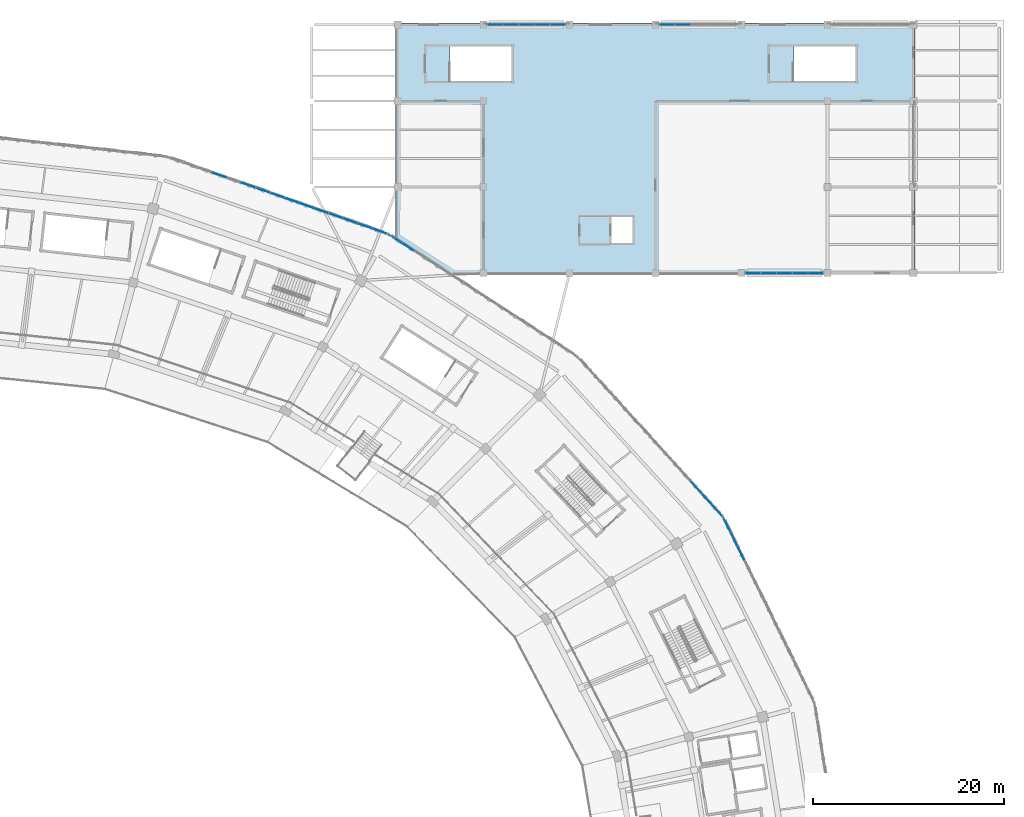
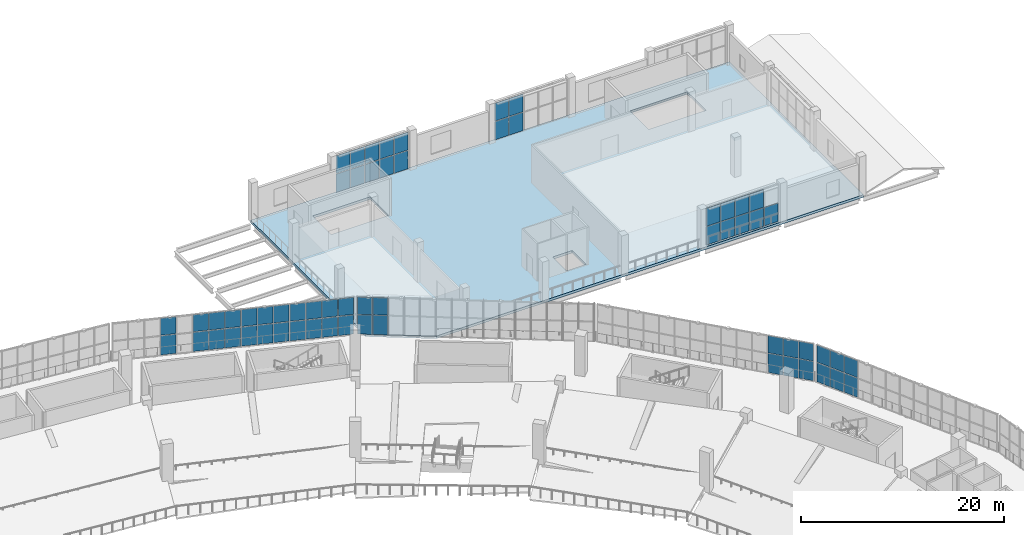
# One storey, part 88 of 152: 61 plates, 1 slab, 7 elements without a shape of their own.
"""IFC4 building model written with IfcOpenShell, lengths in metres."""

from ifc_helpers import new_model, si_unit, direction, frame, origin, origin_2d, place, context, subcontext, project, spatial, polyline, rectangle, outline, extrude, material, layer, layer_set, type_object, element, aggregate, save


model = new_model("IFC4")

# Units and contexts
model_context = context("Model", 3, precision=1e-05, world=origin(), true_north=direction((0.0, 1.0)))
body_context = subcontext(model_context, "Body", "Model", "MODEL_VIEW")
ifc_project = project(units=[si_unit("LENGTHUNIT", "METRE"), si_unit("AREAUNIT", "SQUARE_METRE"), si_unit("VOLUMEUNIT", "CUBIC_METRE"), si_unit("PLANEANGLEUNIT", "RADIAN"), si_unit("MASSUNIT", "GRAM", prefix="KILO")], contexts=[model_context])

# Site, building, storey
site_placement = place(None, origin())
site = spatial("IfcSite", under=ifc_project, at=site_placement, CompositionType="ELEMENT")
building_placement = place(site_placement, origin())
building = spatial("IfcBuilding", under=site, at=building_placement, Name="Zevraka Park Crest Stadium", CompositionType="ELEMENT")
storey_placement = place(building_placement, frame((0.0, 0.0, 15.0)))
storey = spatial("IfcBuildingStorey", under=building, at=storey_placement, Name="L03", CompositionType="ELEMENT", Elevation=15.0)

# Curtain wall, plates
ifc_material_1 = material(Name="Anodised architectural aluminium and laminated safety glass", Category="aluminium")
curtain_wall_type_1 = type_object("IfcCurtainWallType", Name="CW12", PredefinedType="NOTDEFINED", material=ifc_material_1)
curtain_wall_1_placement = place(storey_placement, origin())
curtain_wall_1 = element("IfcCurtainWall", 1, at=curtain_wall_1_placement, inside=storey, type_object=curtain_wall_type_1, Name="Unitised Ring Curtain Wall CW12 L03-01", PredefinedType="NOTDEFINED")
ifc_material_2 = material(Name="Solar-control laminated double glazing", Category="glass")
ifc_layer_1 = layer(ifc_material_2, 0.028076171875)
ifc_layer_set_1 = layer_set([ifc_layer_1], Name="Solar-control laminated double glazing")
plate_type_1 = type_object("IfcPlateType", Name="CP12", PredefinedType="CURTAIN_PANEL", material=ifc_layer_set_1)
plate_1_placement = place(storey_placement, frame((196.948486328125, 128.63037109375, 0.070068359375), z_axis=(0.0, 0.0, 1.0), x_axis=(-0.440666370912, 0.897670958396, 0.0)))
plate_1 = element("IfcPlate", 2, at=plate_1_placement, type_object=plate_type_1, Name="CW12 panel 11.1", PredefinedType="CURTAIN_PANEL", context=body_context, shape_type="SweptSolid", body=[
    extrude(rectangle(XDim=1.58251953125, YDim=0.028076171875, at=origin_2d()), origin(), (0.0, 0.0, 1.0), 2.294921875),
])
plate_2_placement = place(storey_placement, frame((196.948486328125, 128.63037109375, 2.43505859375), z_axis=(0.0, 0.0, 1.0), x_axis=(-0.440666370912, 0.897670958396, 0.0)))
plate_2 = element("IfcPlate", 3, at=plate_2_placement, type_object=plate_type_1, Name="CW12 panel 11.2", PredefinedType="CURTAIN_PANEL", context=body_context, shape_type="SweptSolid", body=[
    extrude(rectangle(XDim=1.58251953125, YDim=0.028076171875, at=origin_2d()), origin(), (0.0, 0.0, 1.0), 2.034912109375),
])
plate_3_placement = place(storey_placement, frame((196.220458984375, 130.11376953125, 0.070068359375), z_axis=(0.0, 0.0, 1.0), x_axis=(-0.440666370912, 0.897670958396, 0.0)))
plate_3 = element("IfcPlate", 4, at=plate_3_placement, type_object=plate_type_1, Name="CW12 panel 12.1", PredefinedType="CURTAIN_PANEL", context=body_context, shape_type="SweptSolid", body=[
    extrude(rectangle(XDim=1.58251953125, YDim=0.028076171875, at=origin_2d()), origin(), (0.0, 0.0, 1.0), 2.294921875),
])
plate_4_placement = place(storey_placement, frame((196.220458984375, 130.11376953125, 2.43505859375), z_axis=(0.0, 0.0, 1.0), x_axis=(-0.440666370912, 0.897670958396, 0.0)))
plate_4 = element("IfcPlate", 5, at=plate_4_placement, type_object=plate_type_1, Name="CW12 panel 12.2", PredefinedType="CURTAIN_PANEL", context=body_context, shape_type="SweptSolid", body=[
    extrude(rectangle(XDim=1.58251953125, YDim=0.028076171875, at=origin_2d()), origin(), (0.0, 0.0, 1.0), 2.034912109375),
])
plate_5_placement = place(storey_placement, frame((195.499755859375, 131.58154296875, 0.070068359375), z_axis=(0.0, 0.0, 1.0), x_axis=(-0.440666370912, 0.897670958396, 0.0)))
plate_5 = element("IfcPlate", 6, at=plate_5_placement, type_object=plate_type_1, Name="CW12 panel 13.1", PredefinedType="CURTAIN_PANEL", context=body_context, shape_type="SweptSolid", body=[
    extrude(rectangle(XDim=1.547607421875, YDim=0.028076171875, at=origin_2d()), origin(), (0.0, 0.0, 1.0), 2.294921875),
])
plate_6_placement = place(storey_placement, frame((195.499755859375, 131.58154296875, 2.43505859375), z_axis=(0.0, 0.0, 1.0), x_axis=(-0.440666370912, 0.897670958396, 0.0)))
plate_6 = element("IfcPlate", 7, at=plate_6_placement, type_object=plate_type_1, Name="CW12 panel 13.2", PredefinedType="CURTAIN_PANEL", context=body_context, shape_type="SweptSolid", body=[
    extrude(rectangle(XDim=1.547607421875, YDim=0.028076171875, at=origin_2d()), origin(), (0.0, 0.0, 1.0), 2.034912109375),
])
aggregate(curtain_wall_1, [plate_1, plate_2, plate_3, plate_4, plate_5, plate_6])

curtain_wall_2_placement = place(storey_placement, origin())
curtain_wall_2 = element("IfcCurtainWall", 8, at=curtain_wall_2_placement, inside=storey, type_object=curtain_wall_type_1, Name="Unitised Ring Curtain Wall CW12 L03-04", PredefinedType="NOTDEFINED")
plate_7_placement = place(storey_placement, frame((159.0615234375, 162.391357421875, 0.070068359375), z_axis=(0.0, 0.0, 1.0), x_axis=(-0.944010008092, 0.329916814701, 0.0)))
plate_7 = element("IfcPlate", 9, at=plate_7_placement, type_object=plate_type_1, Name="CW12 panel 1.1", PredefinedType="CURTAIN_PANEL", context=body_context, shape_type="SweptSolid", body=[
    extrude(rectangle(XDim=1.511474609375, YDim=0.028076171875, at=origin_2d()), origin(), (0.0, 0.0, 1.0), 2.294921875),
])
plate_8_placement = place(storey_placement, frame((159.0615234375, 162.391357421875, 2.43505859375), z_axis=(0.0, 0.0, 1.0), x_axis=(-0.944010008092, 0.329916814701, 0.0)))
plate_8 = element("IfcPlate", 10, at=plate_8_placement, type_object=plate_type_1, Name="CW12 panel 1.2", PredefinedType="CURTAIN_PANEL", context=body_context, shape_type="SweptSolid", body=[
    extrude(rectangle(XDim=1.511474609375, YDim=0.028076171875, at=origin_2d()), origin(), (0.0, 0.0, 1.0), 2.034912109375),
])
plate_9_placement = place(storey_placement, frame((157.55224609375, 162.9189453125, 0.070068359375), z_axis=(0.0, 0.0, 1.0), x_axis=(-0.944010008092, 0.329916814701, 0.0)))
plate_9 = element("IfcPlate", 11, at=plate_9_placement, type_object=plate_type_1, Name="CW12 panel 2.1", PredefinedType="CURTAIN_PANEL", context=body_context, shape_type="SweptSolid", body=[
    extrude(rectangle(XDim=1.54638671875, YDim=0.028076171875, at=origin_2d()), origin(), (0.0, 0.0, 1.0), 2.294921875),
])
plate_10_placement = place(storey_placement, frame((157.55224609375, 162.9189453125, 2.43505859375), z_axis=(0.0, 0.0, 1.0), x_axis=(-0.944010008092, 0.329916814701, 0.0)))
plate_10 = element("IfcPlate", 12, at=plate_10_placement, type_object=plate_type_1, Name="CW12 panel 2.2", PredefinedType="CURTAIN_PANEL", context=body_context, shape_type="SweptSolid", body=[
    extrude(rectangle(XDim=1.54638671875, YDim=0.028076171875, at=origin_2d()), origin(), (0.0, 0.0, 1.0), 2.034912109375),
])
plate_11_placement = place(storey_placement, frame((156.0263671875, 163.4521484375, 0.070068359375), z_axis=(0.0, 0.0, 1.0), x_axis=(-0.944010008092, 0.329916814701, 0.0)))
plate_11 = element("IfcPlate", 13, at=plate_11_placement, type_object=plate_type_1, Name="CW12 panel 3.1", PredefinedType="CURTAIN_PANEL", context=body_context, shape_type="SweptSolid", body=[
    extrude(rectangle(XDim=1.54638671875, YDim=0.028076171875, at=origin_2d()), origin(), (0.0, 0.0, 1.0), 2.294921875),
])
plate_12_placement = place(storey_placement, frame((156.0263671875, 163.4521484375, 2.43505859375), z_axis=(0.0, 0.0, 1.0), x_axis=(-0.944010008092, 0.329916814701, 0.0)))
plate_12 = element("IfcPlate", 14, at=plate_12_placement, type_object=plate_type_1, Name="CW12 panel 3.2", PredefinedType="CURTAIN_PANEL", context=body_context, shape_type="SweptSolid", body=[
    extrude(rectangle(XDim=1.54638671875, YDim=0.028076171875, at=origin_2d()), origin(), (0.0, 0.0, 1.0), 2.034912109375),
])
plate_13_placement = place(storey_placement, frame((154.50048828125, 163.9853515625, 0.070068359375), z_axis=(0.0, 0.0, 1.0), x_axis=(-0.944010008092, 0.329916814701, 0.0)))
plate_13 = element("IfcPlate", 15, at=plate_13_placement, type_object=plate_type_1, Name="CW12 panel 4.1", PredefinedType="CURTAIN_PANEL", context=body_context, shape_type="SweptSolid", body=[
    extrude(rectangle(XDim=1.54638671875, YDim=0.028076171875, at=origin_2d()), origin(), (0.0, 0.0, 1.0), 2.294921875),
])
plate_14_placement = place(storey_placement, frame((154.50048828125, 163.9853515625, 2.43505859375), z_axis=(0.0, 0.0, 1.0), x_axis=(-0.944010008092, 0.329916814701, 0.0)))
plate_14 = element("IfcPlate", 16, at=plate_14_placement, type_object=plate_type_1, Name="CW12 panel 4.2", PredefinedType="CURTAIN_PANEL", context=body_context, shape_type="SweptSolid", body=[
    extrude(rectangle(XDim=1.54638671875, YDim=0.028076171875, at=origin_2d()), origin(), (0.0, 0.0, 1.0), 2.034912109375),
])
plate_15_placement = place(storey_placement, frame((152.974609375, 164.518798828125, 0.070068359375), z_axis=(0.0, 0.0, 1.0), x_axis=(-0.944010008092, 0.329916814701, 0.0)))
plate_15 = element("IfcPlate", 17, at=plate_15_placement, type_object=plate_type_1, Name="CW12 panel 5.1", PredefinedType="CURTAIN_PANEL", context=body_context, shape_type="SweptSolid", body=[
    extrude(rectangle(XDim=1.54638671875, YDim=0.028076171875, at=origin_2d()), origin(), (0.0, 0.0, 1.0), 2.294921875),
])
plate_16_placement = place(storey_placement, frame((152.974609375, 164.518798828125, 2.43505859375), z_axis=(0.0, 0.0, 1.0), x_axis=(-0.944010008092, 0.329916814701, 0.0)))
plate_16 = element("IfcPlate", 18, at=plate_16_placement, type_object=plate_type_1, Name="CW12 panel 5.2", PredefinedType="CURTAIN_PANEL", context=body_context, shape_type="SweptSolid", body=[
    extrude(rectangle(XDim=1.54638671875, YDim=0.028076171875, at=origin_2d()), origin(), (0.0, 0.0, 1.0), 2.034912109375),
])
plate_17_placement = place(storey_placement, frame((151.44873046875, 165.052001953125, 0.070068359375), z_axis=(0.0, 0.0, 1.0), x_axis=(-0.944010008092, 0.329916814701, 0.0)))
plate_17 = element("IfcPlate", 19, at=plate_17_placement, type_object=plate_type_1, Name="CW12 panel 6.1", PredefinedType="CURTAIN_PANEL", context=body_context, shape_type="SweptSolid", body=[
    extrude(rectangle(XDim=1.54638671875, YDim=0.028076171875, at=origin_2d()), origin(), (0.0, 0.0, 1.0), 2.294921875),
])
plate_18_placement = place(storey_placement, frame((151.44873046875, 165.052001953125, 2.43505859375), z_axis=(0.0, 0.0, 1.0), x_axis=(-0.944010008092, 0.329916814701, 0.0)))
plate_18 = element("IfcPlate", 20, at=plate_18_placement, type_object=plate_type_1, Name="CW12 panel 6.2", PredefinedType="CURTAIN_PANEL", context=body_context, shape_type="SweptSolid", body=[
    extrude(rectangle(XDim=1.54638671875, YDim=0.028076171875, at=origin_2d()), origin(), (0.0, 0.0, 1.0), 2.034912109375),
])
plate_19_placement = place(storey_placement, frame((149.9228515625, 165.585205078125, 0.070068359375), z_axis=(0.0, 0.0, 1.0), x_axis=(-0.944010008092, 0.329916814701, 0.0)))
plate_19 = element("IfcPlate", 21, at=plate_19_placement, type_object=plate_type_1, Name="CW12 panel 7.1", PredefinedType="CURTAIN_PANEL", context=body_context, shape_type="SweptSolid", body=[
    extrude(rectangle(XDim=1.54638671875, YDim=0.028076171875, at=origin_2d()), origin(), (0.0, 0.0, 1.0), 2.294921875),
])
plate_20_placement = place(storey_placement, frame((149.9228515625, 165.585205078125, 2.43505859375), z_axis=(0.0, 0.0, 1.0), x_axis=(-0.944010008092, 0.329916814701, 0.0)))
plate_20 = element("IfcPlate", 22, at=plate_20_placement, type_object=plate_type_1, Name="CW12 panel 7.2", PredefinedType="CURTAIN_PANEL", context=body_context, shape_type="SweptSolid", body=[
    extrude(rectangle(XDim=1.54638671875, YDim=0.028076171875, at=origin_2d()), origin(), (0.0, 0.0, 1.0), 2.034912109375),
])
plate_21_placement = place(storey_placement, frame((148.39697265625, 166.118408203125, 0.070068359375), z_axis=(0.0, 0.0, 1.0), x_axis=(-0.944010008092, 0.329916814701, 0.0)))
plate_21 = element("IfcPlate", 23, at=plate_21_placement, type_object=plate_type_1, Name="CW12 panel 8.1", PredefinedType="CURTAIN_PANEL", context=body_context, shape_type="SweptSolid", body=[
    extrude(rectangle(XDim=1.54638671875, YDim=0.028076171875, at=origin_2d()), origin(), (0.0, 0.0, 1.0), 2.294921875),
])
plate_22_placement = place(storey_placement, frame((148.39697265625, 166.118408203125, 2.43505859375), z_axis=(0.0, 0.0, 1.0), x_axis=(-0.944010008092, 0.329916814701, 0.0)))
plate_22 = element("IfcPlate", 24, at=plate_22_placement, type_object=plate_type_1, Name="CW12 panel 8.2", PredefinedType="CURTAIN_PANEL", context=body_context, shape_type="SweptSolid", body=[
    extrude(rectangle(XDim=1.54638671875, YDim=0.028076171875, at=origin_2d()), origin(), (0.0, 0.0, 1.0), 2.034912109375),
])
plate_23_placement = place(storey_placement, frame((146.87109375, 166.65185546875, 0.070068359375), z_axis=(0.0, 0.0, 1.0), x_axis=(-0.944010008092, 0.329916814701, 0.0)))
plate_23 = element("IfcPlate", 25, at=plate_23_placement, type_object=plate_type_1, Name="CW12 panel 9.1", PredefinedType="CURTAIN_PANEL", context=body_context, shape_type="SweptSolid", body=[
    extrude(rectangle(XDim=1.54638671875, YDim=0.028076171875, at=origin_2d()), origin(), (0.0, 0.0, 1.0), 2.294921875),
])
plate_24_placement = place(storey_placement, frame((146.87109375, 166.65185546875, 2.43505859375), z_axis=(0.0, 0.0, 1.0), x_axis=(-0.944010008092, 0.329916814701, 0.0)))
plate_24 = element("IfcPlate", 26, at=plate_24_placement, type_object=plate_type_1, Name="CW12 panel 9.2", PredefinedType="CURTAIN_PANEL", context=body_context, shape_type="SweptSolid", body=[
    extrude(rectangle(XDim=1.54638671875, YDim=0.028076171875, at=origin_2d()), origin(), (0.0, 0.0, 1.0), 2.034912109375),
])
plate_25_placement = place(storey_placement, frame((145.34521484375, 167.18505859375, 0.070068359375), z_axis=(0.0, 0.0, 1.0), x_axis=(-0.944010008092, 0.329916814701, 0.0)))
plate_25 = element("IfcPlate", 27, at=plate_25_placement, type_object=plate_type_1, Name="CW12 panel 10.1", PredefinedType="CURTAIN_PANEL", context=body_context, shape_type="SweptSolid", body=[
    extrude(rectangle(XDim=1.54638671875, YDim=0.028076171875, at=origin_2d()), origin(), (0.0, 0.0, 1.0), 2.294921875),
])
plate_26_placement = place(storey_placement, frame((145.34521484375, 167.18505859375, 2.43505859375), z_axis=(0.0, 0.0, 1.0), x_axis=(-0.944010008092, 0.329916814701, 0.0)))
plate_26 = element("IfcPlate", 28, at=plate_26_placement, type_object=plate_type_1, Name="CW12 panel 10.2", PredefinedType="CURTAIN_PANEL", context=body_context, shape_type="SweptSolid", body=[
    extrude(rectangle(XDim=1.54638671875, YDim=0.028076171875, at=origin_2d()), origin(), (0.0, 0.0, 1.0), 2.034912109375),
])
plate_27_placement = place(storey_placement, frame((142.29345703125, 168.25146484375, 0.070068359375), z_axis=(0.0, 0.0, 1.0), x_axis=(-0.944010008092, 0.329916814701, 0.0)))
plate_27 = element("IfcPlate", 29, at=plate_27_placement, type_object=plate_type_1, Name="CW12 panel 12.1", PredefinedType="CURTAIN_PANEL", context=body_context, shape_type="SweptSolid", body=[
    extrude(rectangle(XDim=1.54638671875, YDim=0.028076171875, at=origin_2d()), origin(), (0.0, 0.0, 1.0), 2.294921875),
])
plate_28_placement = place(storey_placement, frame((142.29345703125, 168.25146484375, 2.43505859375), z_axis=(0.0, 0.0, 1.0), x_axis=(-0.944010008092, 0.329916814701, 0.0)))
plate_28 = element("IfcPlate", 30, at=plate_28_placement, type_object=plate_type_1, Name="CW12 panel 12.2", PredefinedType="CURTAIN_PANEL", context=body_context, shape_type="SweptSolid", body=[
    extrude(rectangle(XDim=1.54638671875, YDim=0.028076171875, at=origin_2d()), origin(), (0.0, 0.0, 1.0), 2.034912109375),
])
aggregate(curtain_wall_2, [plate_7, plate_8, plate_9, plate_10, plate_11, plate_12, plate_13, plate_14, plate_15, plate_16, plate_17, plate_18, plate_19, plate_20, plate_21, plate_22, plate_23, plate_24, plate_25, plate_26, plate_27, plate_28])

ifc_material_3 = material(Name="Anodised architectural aluminium and laminated safety glass", Category="aluminium")
curtain_wall_type_2 = type_object("IfcCurtainWallType", Name="CW13", PredefinedType="NOTDEFINED", material=ifc_material_3)
curtain_wall_3_placement = place(storey_placement, origin())
curtain_wall_3 = element("IfcCurtainWall", 31, at=curtain_wall_3_placement, inside=storey, type_object=curtain_wall_type_2, Name="Unitised Ring Curtain Wall CW13 L03-02", PredefinedType="NOTDEFINED")
ifc_material_4 = material(Name="Solar-control laminated double glazing", Category="glass")
ifc_layer_2 = layer(ifc_material_4, 0.031982421875)
ifc_layer_set_2 = layer_set([ifc_layer_2], Name="Solar-control laminated double glazing")
plate_type_2 = type_object("IfcPlateType", Name="CP13", PredefinedType="CURTAIN_PANEL", material=ifc_layer_set_2)
plate_29_placement = place(storey_placement, frame((194.436767578125, 133.15283203125, 0.06005859375), z_axis=(0.0, 0.0, 1.0), x_axis=(-0.672801685845, 0.739822878481, 0.0)))
plate_29 = element("IfcPlate", 32, at=plate_29_placement, type_object=plate_type_2, Name="CW13 panel 1.1", PredefinedType="CURTAIN_PANEL", context=body_context, shape_type="SweptSolid", body=[
    extrude(rectangle(XDim=1.509765625, YDim=0.031982421875, at=origin_2d()), origin(), (0.0, 0.0, 1.0), 2.31005859375),
])
plate_30_placement = place(storey_placement, frame((194.436767578125, 133.15283203125, 2.43017578125), z_axis=(0.0, 0.0, 1.0), x_axis=(-0.672801685845, 0.739822878481, 0.0)))
plate_30 = element("IfcPlate", 33, at=plate_30_placement, type_object=plate_type_2, Name="CW13 panel 1.2", PredefinedType="CURTAIN_PANEL", context=body_context, shape_type="SweptSolid", body=[
    extrude(rectangle(XDim=1.509765625, YDim=0.031982421875, at=origin_2d()), origin(), (0.0, 0.0, 1.0), 2.050048828125),
])
plate_31_placement = place(storey_placement, frame((193.37060546875, 134.3251953125, 0.06005859375), z_axis=(0.0, 0.0, 1.0), x_axis=(-0.672801685845, 0.739822878481, 0.0)))
plate_31 = element("IfcPlate", 34, at=plate_31_placement, type_object=plate_type_2, Name="CW13 panel 2.1", PredefinedType="CURTAIN_PANEL", context=body_context, shape_type="SweptSolid", body=[
    extrude(rectangle(XDim=1.539794921875, YDim=0.031982421875, at=origin_2d()), origin(), (0.0, 0.0, 1.0), 2.31005859375),
])
plate_32_placement = place(storey_placement, frame((193.37060546875, 134.3251953125, 2.43017578125), z_axis=(0.0, 0.0, 1.0), x_axis=(-0.672801685845, 0.739822878481, 0.0)))
plate_32 = element("IfcPlate", 35, at=plate_32_placement, type_object=plate_type_2, Name="CW13 panel 2.2", PredefinedType="CURTAIN_PANEL", context=body_context, shape_type="SweptSolid", body=[
    extrude(rectangle(XDim=1.539794921875, YDim=0.031982421875, at=origin_2d()), origin(), (0.0, 0.0, 1.0), 2.050048828125),
])
plate_33_placement = place(storey_placement, frame((192.294189453125, 135.5087890625, 0.06005859375), z_axis=(0.0, 0.0, 1.0), x_axis=(-0.672801685845, 0.739822878481, 0.0)))
plate_33 = element("IfcPlate", 36, at=plate_33_placement, type_object=plate_type_2, Name="CW13 panel 3.1", PredefinedType="CURTAIN_PANEL", context=body_context, shape_type="SweptSolid", body=[
    extrude(rectangle(XDim=1.539794921875, YDim=0.031982421875, at=origin_2d()), origin(), (0.0, 0.0, 1.0), 2.31005859375),
])
plate_34_placement = place(storey_placement, frame((192.294189453125, 135.5087890625, 2.43017578125), z_axis=(0.0, 0.0, 1.0), x_axis=(-0.672801685845, 0.739822878481, 0.0)))
plate_34 = element("IfcPlate", 37, at=plate_34_placement, type_object=plate_type_2, Name="CW13 panel 3.2", PredefinedType="CURTAIN_PANEL", context=body_context, shape_type="SweptSolid", body=[
    extrude(rectangle(XDim=1.539794921875, YDim=0.031982421875, at=origin_2d()), origin(), (0.0, 0.0, 1.0), 2.050048828125),
])
aggregate(curtain_wall_3, [plate_29, plate_30, plate_31, plate_32, plate_33, plate_34])

curtain_wall_4_placement = place(storey_placement, origin())
curtain_wall_4 = element("IfcCurtainWall", 38, at=curtain_wall_4_placement, inside=storey, type_object=curtain_wall_type_2, Name="Unitised Ring Curtain Wall CW13 L03-03", PredefinedType="NOTDEFINED")
plate_35_placement = place(storey_placement, frame((162.038818359375, 160.73291015625, 0.06005859375), z_axis=(0.0, 0.0, 1.0), x_axis=(-0.839429134517, 0.543469160232, 0.0)))
plate_35 = element("IfcPlate", 39, at=plate_35_placement, type_object=plate_type_2, Name="CW13 panel 14.1", PredefinedType="CURTAIN_PANEL", context=body_context, shape_type="SweptSolid", body=[
    extrude(rectangle(XDim=1.500244140625, YDim=0.031982421875, at=origin_2d()), origin(), (0.0, 0.0, 1.0), 2.31005859375),
])
plate_36_placement = place(storey_placement, frame((162.038818359375, 160.73291015625, 2.43017578125), z_axis=(0.0, 0.0, 1.0), x_axis=(-0.839429134517, 0.543469160232, 0.0)))
plate_36 = element("IfcPlate", 40, at=plate_36_placement, type_object=plate_type_2, Name="CW13 panel 14.2", PredefinedType="CURTAIN_PANEL", context=body_context, shape_type="SweptSolid", body=[
    extrude(rectangle(XDim=1.500244140625, YDim=0.031982421875, at=origin_2d()), origin(), (0.0, 0.0, 1.0), 2.050048828125),
])
plate_37_placement = place(storey_placement, frame((160.741455078125, 161.57275390625, 0.06005859375), z_axis=(0.0, 0.0, 1.0), x_axis=(-0.839429134517, 0.543469160232, 0.0)))
plate_37 = element("IfcPlate", 41, at=plate_37_placement, type_object=plate_type_2, Name="CW13 panel 15.1", PredefinedType="CURTAIN_PANEL", context=body_context, shape_type="SweptSolid", body=[
    extrude(rectangle(XDim=1.470458984375, YDim=0.031982421875, at=origin_2d()), origin(), (0.0, 0.0, 1.0), 2.31005859375),
])
plate_38_placement = place(storey_placement, frame((160.741455078125, 161.57275390625, 2.43017578125), z_axis=(0.0, 0.0, 1.0), x_axis=(-0.839429134517, 0.543469160232, 0.0)))
plate_38 = element("IfcPlate", 42, at=plate_38_placement, type_object=plate_type_2, Name="CW13 panel 15.2", PredefinedType="CURTAIN_PANEL", context=body_context, shape_type="SweptSolid", body=[
    extrude(rectangle(XDim=1.470458984375, YDim=0.031982421875, at=origin_2d()), origin(), (0.0, 0.0, 1.0), 2.050048828125),
])
aggregate(curtain_wall_4, [plate_35, plate_36, plate_37, plate_38])

ifc_material_5 = material(Name="Anodised architectural aluminium and laminated safety glass", Category="aluminium")
curtain_wall_type_3 = type_object("IfcCurtainWallType", Name="CW27", PredefinedType="NOTDEFINED", material=ifc_material_5)
curtain_wall_5_placement = place(storey_placement, origin())
curtain_wall_5 = element("IfcCurtainWall", 43, at=curtain_wall_5_placement, inside=storey, type_object=curtain_wall_type_3, Name="Wing Curtain Wall CW27 L03-NGATE-N3-4", PredefinedType="NOTDEFINED")
ifc_material_6 = material(Name="Solar-control laminated double glazing", Category="glass")
ifc_layer_3 = layer(ifc_material_6, 0.035888671875)
ifc_layer_set_3 = layer_set([ifc_layer_3], Name="Solar-control laminated double glazing")
plate_type_3 = type_object("IfcPlateType", Name="CP27", PredefinedType="CURTAIN_PANEL", material=ifc_layer_set_3)
plate_39_placement = place(storey_placement, frame((189.20947265625, 184.0, 0.06982421875), z_axis=(0.0, 0.0, 1.0), x_axis=(1.0, 0.0, 0.0)))
plate_39 = element("IfcPlate", 44, at=plate_39_placement, type_object=plate_type_3, Name="CW27 panel 1.1", PredefinedType="CURTAIN_PANEL", context=body_context, shape_type="SweptSolid", body=[
    extrude(rectangle(XDim=1.549072265625, YDim=0.035888671875, at=origin_2d()), origin(), (0.0, 0.0, 1.0), 2.195068359375),
])
plate_40_placement = place(storey_placement, frame((189.20947265625, 184.0, 2.3349609375), z_axis=(0.0, 0.0, 1.0), x_axis=(1.0, 0.0, 0.0)))
plate_40 = element("IfcPlate", 45, at=plate_40_placement, type_object=plate_type_3, Name="CW27 panel 1.2", PredefinedType="CURTAIN_PANEL", context=body_context, shape_type="SweptSolid", body=[
    extrude(rectangle(XDim=1.549072265625, YDim=0.035888671875, at=origin_2d()), origin(), (0.0, 0.0, 1.0), 2.135009765625),
])
plate_41_placement = place(storey_placement, frame((190.845947265625, 184.0, 0.06982421875), z_axis=(0.0, 0.0, 1.0), x_axis=(1.0, 0.0, 0.0)))
plate_41 = element("IfcPlate", 46, at=plate_41_placement, type_object=plate_type_3, Name="CW27 panel 2.1", PredefinedType="CURTAIN_PANEL", context=body_context, shape_type="SweptSolid", body=[
    extrude(rectangle(XDim=1.583984375, YDim=0.035888671875, at=origin_2d()), origin(), (0.0, 0.0, 1.0), 2.195068359375),
])
plate_42_placement = place(storey_placement, frame((190.845947265625, 184.0, 2.3349609375), z_axis=(0.0, 0.0, 1.0), x_axis=(1.0, 0.0, 0.0)))
plate_42 = element("IfcPlate", 47, at=plate_42_placement, type_object=plate_type_3, Name="CW27 panel 2.2", PredefinedType="CURTAIN_PANEL", context=body_context, shape_type="SweptSolid", body=[
    extrude(rectangle(XDim=1.583984375, YDim=0.035888671875, at=origin_2d()), origin(), (0.0, 0.0, 1.0), 2.135009765625),
])
aggregate(curtain_wall_5, [plate_39, plate_40, plate_41, plate_42])

ifc_material_7 = material(Name="Anodised architectural aluminium and laminated safety glass", Category="aluminium")
curtain_wall_type_4 = type_object("IfcCurtainWallType", Name="CW30", PredefinedType="NOTDEFINED", material=ifc_material_7)
curtain_wall_6_placement = place(storey_placement, origin())
curtain_wall_6 = element("IfcCurtainWall", 48, at=curtain_wall_6_placement, inside=storey, type_object=curtain_wall_type_4, Name="Wing Curtain Wall CW30 L03-NGATE-N3-2", PredefinedType="NOTDEFINED")
ifc_material_8 = material(Name="Solar-control laminated double glazing", Category="glass")
ifc_layer_4 = layer(ifc_material_8, 0.035888671875)
ifc_layer_set_4 = layer_set([ifc_layer_4], Name="Solar-control laminated double glazing")
plate_type_4 = type_object("IfcPlateType", Name="CP30", PredefinedType="CURTAIN_PANEL", material=ifc_layer_set_4)
plate_43_placement = place(storey_placement, frame((171.20947265625, 184.0, 0.06982421875), z_axis=(0.0, 0.0, 1.0), x_axis=(1.0, 0.0, 0.0)))
plate_43 = element("IfcPlate", 49, at=plate_43_placement, type_object=plate_type_4, Name="CW30 panel 1.1", PredefinedType="CURTAIN_PANEL", context=body_context, shape_type="SweptSolid", body=[
    extrude(rectangle(XDim=1.549072265625, YDim=0.035888671875, at=origin_2d()), origin(), (0.0, 0.0, 1.0), 2.195068359375),
])
plate_44_placement = place(storey_placement, frame((171.20947265625, 184.0, 2.3349609375), z_axis=(0.0, 0.0, 1.0), x_axis=(1.0, 0.0, 0.0)))
plate_44 = element("IfcPlate", 50, at=plate_44_placement, type_object=plate_type_4, Name="CW30 panel 1.2", PredefinedType="CURTAIN_PANEL", context=body_context, shape_type="SweptSolid", body=[
    extrude(rectangle(XDim=1.549072265625, YDim=0.035888671875, at=origin_2d()), origin(), (0.0, 0.0, 1.0), 2.135009765625),
])
plate_45_placement = place(storey_placement, frame((172.845947265625, 184.0, 0.06982421875), z_axis=(0.0, 0.0, 1.0), x_axis=(1.0, 0.0, 0.0)))
plate_45 = element("IfcPlate", 51, at=plate_45_placement, type_object=plate_type_4, Name="CW30 panel 2.1", PredefinedType="CURTAIN_PANEL", context=body_context, shape_type="SweptSolid", body=[
    extrude(rectangle(XDim=1.583984375, YDim=0.035888671875, at=origin_2d()), origin(), (0.0, 0.0, 1.0), 2.195068359375),
])
plate_46_placement = place(storey_placement, frame((172.845947265625, 184.0, 2.3349609375), z_axis=(0.0, 0.0, 1.0), x_axis=(1.0, 0.0, 0.0)))
plate_46 = element("IfcPlate", 52, at=plate_46_placement, type_object=plate_type_4, Name="CW30 panel 2.2", PredefinedType="CURTAIN_PANEL", context=body_context, shape_type="SweptSolid", body=[
    extrude(rectangle(XDim=1.583984375, YDim=0.035888671875, at=origin_2d()), origin(), (0.0, 0.0, 1.0), 2.135009765625),
])
plate_47_placement = place(storey_placement, frame((174.5, 184.0, 0.06982421875), z_axis=(0.0, 0.0, 1.0), x_axis=(1.0, 0.0, 0.0)))
plate_47 = element("IfcPlate", 53, at=plate_47_placement, type_object=plate_type_4, Name="CW30 panel 3.1", PredefinedType="CURTAIN_PANEL", context=body_context, shape_type="SweptSolid", body=[
    extrude(rectangle(XDim=1.583984375, YDim=0.035888671875, at=origin_2d()), origin(), (0.0, 0.0, 1.0), 2.195068359375),
])
plate_48_placement = place(storey_placement, frame((174.5, 184.0, 2.3349609375), z_axis=(0.0, 0.0, 1.0), x_axis=(1.0, 0.0, 0.0)))
plate_48 = element("IfcPlate", 54, at=plate_48_placement, type_object=plate_type_4, Name="CW30 panel 3.2", PredefinedType="CURTAIN_PANEL", context=body_context, shape_type="SweptSolid", body=[
    extrude(rectangle(XDim=1.583984375, YDim=0.035888671875, at=origin_2d()), origin(), (0.0, 0.0, 1.0), 2.135009765625),
])
plate_49_placement = place(storey_placement, frame((176.154052734375, 184.0, 0.06982421875), z_axis=(0.0, 0.0, 1.0), x_axis=(1.0, 0.0, 0.0)))
plate_49 = element("IfcPlate", 55, at=plate_49_placement, type_object=plate_type_4, Name="CW30 panel 4.1", PredefinedType="CURTAIN_PANEL", context=body_context, shape_type="SweptSolid", body=[
    extrude(rectangle(XDim=1.583984375, YDim=0.035888671875, at=origin_2d()), origin(), (0.0, 0.0, 1.0), 2.195068359375),
])
plate_50_placement = place(storey_placement, frame((176.154052734375, 184.0, 2.3349609375), z_axis=(0.0, 0.0, 1.0), x_axis=(1.0, 0.0, 0.0)))
plate_50 = element("IfcPlate", 56, at=plate_50_placement, type_object=plate_type_4, Name="CW30 panel 4.2", PredefinedType="CURTAIN_PANEL", context=body_context, shape_type="SweptSolid", body=[
    extrude(rectangle(XDim=1.583984375, YDim=0.035888671875, at=origin_2d()), origin(), (0.0, 0.0, 1.0), 2.135009765625),
])
plate_51_placement = place(storey_placement, frame((177.79052734375, 184.0, 0.06982421875), z_axis=(0.0, 0.0, 1.0), x_axis=(1.0, 0.0, 0.0)))
plate_51 = element("IfcPlate", 57, at=plate_51_placement, type_object=plate_type_4, Name="CW30 panel 5.1", PredefinedType="CURTAIN_PANEL", context=body_context, shape_type="SweptSolid", body=[
    extrude(rectangle(XDim=1.549072265625, YDim=0.035888671875, at=origin_2d()), origin(), (0.0, 0.0, 1.0), 2.195068359375),
])
plate_52_placement = place(storey_placement, frame((177.79052734375, 184.0, 2.3349609375), z_axis=(0.0, 0.0, 1.0), x_axis=(1.0, 0.0, 0.0)))
plate_52 = element("IfcPlate", 58, at=plate_52_placement, type_object=plate_type_4, Name="CW30 panel 5.2", PredefinedType="CURTAIN_PANEL", context=body_context, shape_type="SweptSolid", body=[
    extrude(rectangle(XDim=1.549072265625, YDim=0.035888671875, at=origin_2d()), origin(), (0.0, 0.0, 1.0), 2.135009765625),
])
aggregate(curtain_wall_6, [plate_43, plate_44, plate_45, plate_46, plate_47, plate_48, plate_49, plate_50, plate_51, plate_52])

curtain_wall_7_placement = place(storey_placement, origin())
curtain_wall_7 = element("IfcCurtainWall", 59, at=curtain_wall_7_placement, inside=storey, type_object=curtain_wall_type_4, Name="Wing Curtain Wall CW30 L03-NGATE-S3-2", PredefinedType="NOTDEFINED")
plate_53_placement = place(storey_placement, frame((204.79052734375, 158.0, 0.06982421875), z_axis=(0.0, 0.0, 1.0), x_axis=(-1.0, 0.0, 0.0)))
plate_53 = element("IfcPlate", 60, at=plate_53_placement, type_object=plate_type_4, Name="CW30 panel 1.1", PredefinedType="CURTAIN_PANEL", context=body_context, shape_type="SweptSolid", body=[
    extrude(rectangle(XDim=1.549072265625, YDim=0.035888671875, at=origin_2d()), origin(), (0.0, 0.0, 1.0), 2.195068359375),
])
plate_54_placement = place(storey_placement, frame((203.154052734375, 158.0, 0.06982421875), z_axis=(0.0, 0.0, 1.0), x_axis=(-1.0, 0.0, 0.0)))
plate_54 = element("IfcPlate", 61, at=plate_54_placement, type_object=plate_type_4, Name="CW30 panel 2.1", PredefinedType="CURTAIN_PANEL", context=body_context, shape_type="SweptSolid", body=[
    extrude(rectangle(XDim=1.583984375, YDim=0.035888671875, at=origin_2d()), origin(), (0.0, 0.0, 1.0), 2.195068359375),
])
plate_55_placement = place(storey_placement, frame((203.154052734375, 158.0, 2.3349609375), z_axis=(0.0, 0.0, 1.0), x_axis=(-1.0, 0.0, 0.0)))
plate_55 = element("IfcPlate", 62, at=plate_55_placement, type_object=plate_type_4, Name="CW30 panel 2.2", PredefinedType="CURTAIN_PANEL", context=body_context, shape_type="SweptSolid", body=[
    extrude(rectangle(XDim=1.583984375, YDim=0.035888671875, at=origin_2d()), origin(), (0.0, 0.0, 1.0), 2.135009765625),
])
plate_56_placement = place(storey_placement, frame((201.5, 158.0, 0.06982421875), z_axis=(0.0, 0.0, 1.0), x_axis=(-1.0, 0.0, 0.0)))
plate_56 = element("IfcPlate", 63, at=plate_56_placement, type_object=plate_type_4, Name="CW30 panel 3.1", PredefinedType="CURTAIN_PANEL", context=body_context, shape_type="SweptSolid", body=[
    extrude(rectangle(XDim=1.583984375, YDim=0.035888671875, at=origin_2d()), origin(), (0.0, 0.0, 1.0), 2.195068359375),
])
plate_57_placement = place(storey_placement, frame((201.5, 158.0, 2.3349609375), z_axis=(0.0, 0.0, 1.0), x_axis=(-1.0, 0.0, 0.0)))
plate_57 = element("IfcPlate", 64, at=plate_57_placement, type_object=plate_type_4, Name="CW30 panel 3.2", PredefinedType="CURTAIN_PANEL", context=body_context, shape_type="SweptSolid", body=[
    extrude(rectangle(XDim=1.583984375, YDim=0.035888671875, at=origin_2d()), origin(), (0.0, 0.0, 1.0), 2.135009765625),
])
plate_58_placement = place(storey_placement, frame((199.845947265625, 158.0, 0.06982421875), z_axis=(0.0, 0.0, 1.0), x_axis=(-1.0, 0.0, 0.0)))
plate_58 = element("IfcPlate", 65, at=plate_58_placement, type_object=plate_type_4, Name="CW30 panel 4.1", PredefinedType="CURTAIN_PANEL", context=body_context, shape_type="SweptSolid", body=[
    extrude(rectangle(XDim=1.583984375, YDim=0.035888671875, at=origin_2d()), origin(), (0.0, 0.0, 1.0), 2.195068359375),
])
plate_59_placement = place(storey_placement, frame((199.845947265625, 158.0, 2.3349609375), z_axis=(0.0, 0.0, 1.0), x_axis=(-1.0, 0.0, 0.0)))
plate_59 = element("IfcPlate", 66, at=plate_59_placement, type_object=plate_type_4, Name="CW30 panel 4.2", PredefinedType="CURTAIN_PANEL", context=body_context, shape_type="SweptSolid", body=[
    extrude(rectangle(XDim=1.583984375, YDim=0.035888671875, at=origin_2d()), origin(), (0.0, 0.0, 1.0), 2.135009765625),
])
plate_60_placement = place(storey_placement, frame((198.20947265625, 158.0, 0.06982421875), z_axis=(0.0, 0.0, 1.0), x_axis=(-1.0, 0.0, 0.0)))
plate_60 = element("IfcPlate", 67, at=plate_60_placement, type_object=plate_type_4, Name="CW30 panel 5.1", PredefinedType="CURTAIN_PANEL", context=body_context, shape_type="SweptSolid", body=[
    extrude(rectangle(XDim=1.549072265625, YDim=0.035888671875, at=origin_2d()), origin(), (0.0, 0.0, 1.0), 2.195068359375),
])
plate_61_placement = place(storey_placement, frame((198.20947265625, 158.0, 2.3349609375), z_axis=(0.0, 0.0, 1.0), x_axis=(-1.0, 0.0, 0.0)))
plate_61 = element("IfcPlate", 68, at=plate_61_placement, type_object=plate_type_4, Name="CW30 panel 5.2", PredefinedType="CURTAIN_PANEL", context=body_context, shape_type="SweptSolid", body=[
    extrude(rectangle(XDim=1.549072265625, YDim=0.035888671875, at=origin_2d()), origin(), (0.0, 0.0, 1.0), 2.135009765625),
])
aggregate(curtain_wall_7, [plate_53, plate_54, plate_55, plate_56, plate_57, plate_58, plate_59, plate_60, plate_61])

# Slab
ifc_material_9 = material(Name="Concrete C35/45", Category="concrete")
ifc_layer_5 = layer(ifc_material_9, 0.300048828125)
ifc_layer_set_5 = layer_set([ifc_layer_5], Name="Concrete C35/45")
slab_type = type_object("IfcSlabType", Name="FS01", PredefinedType="FLOOR", material=ifc_layer_set_5)
slab_placement = place(storey_placement, frame((0.0, 0.0, -0.300048828125)))
element("IfcSlab", 69, at=slab_placement, inside=storey, type_object=slab_type, Name="North Park Pointed-Arch Entrance Gate and Ticketing Pavilion Floor Slab L03-1", PredefinedType="FLOOR", context=body_context, shape_type="SweptSolid", body=[
    extrude(outline(polyline([(215.175048828125, 184.175048828125), (215.175048828125, 157.824951171875), (166.68603515625, 157.824951171875), (160.824951171875, 161.6201171875), (160.824951171875, 184.175048828125), (215.175048828125, 184.175048828125)]), holes=[polyline([(183.39990234375, 161.14990234375), (185.60009765625, 161.14990234375), (185.60009765625, 163.85009765625), (183.39990234375, 163.85009765625), (183.39990234375, 161.14990234375)]), polyline([(166.47998046875, 181.75), (166.47998046875, 178.090087890625), (173.0, 178.090087890625), (173.0, 181.75), (166.47998046875, 181.75)]), polyline([(202.47998046875, 181.75), (202.47998046875, 178.090087890625), (209.0, 178.090087890625), (209.0, 181.75), (202.47998046875, 181.75)])]), origin(), (0.0, 0.0, 1.0), 0.300048828125),
])

save(model, "model.ifc")
